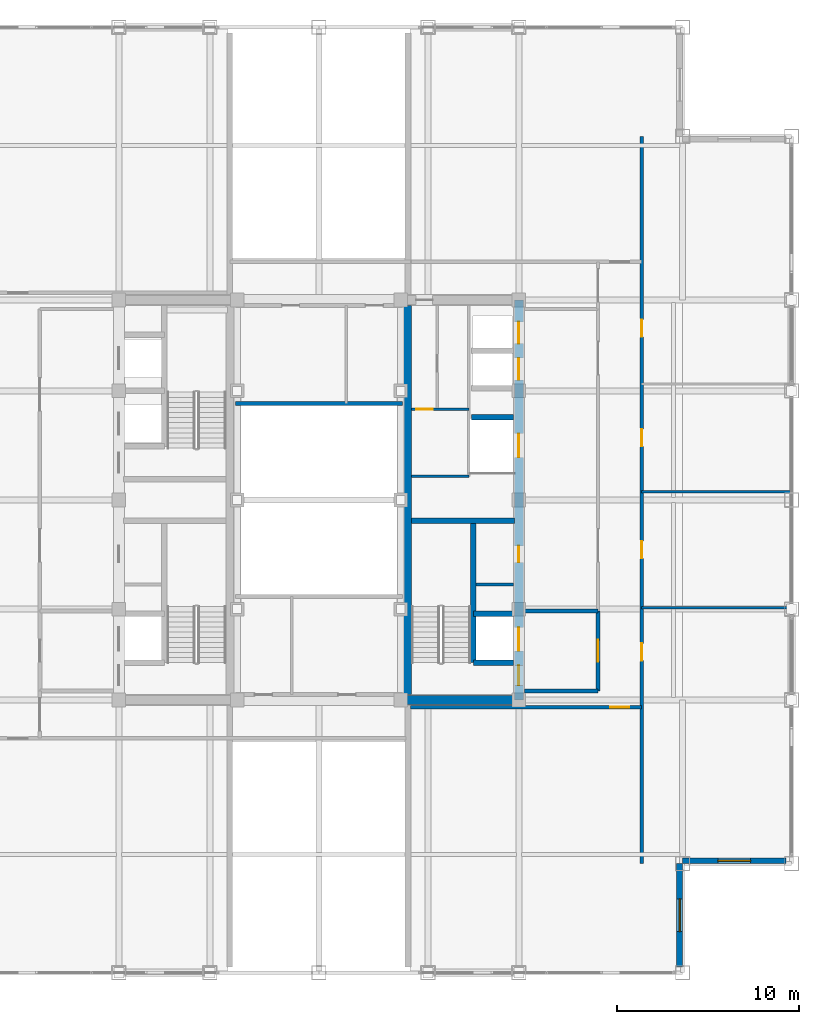
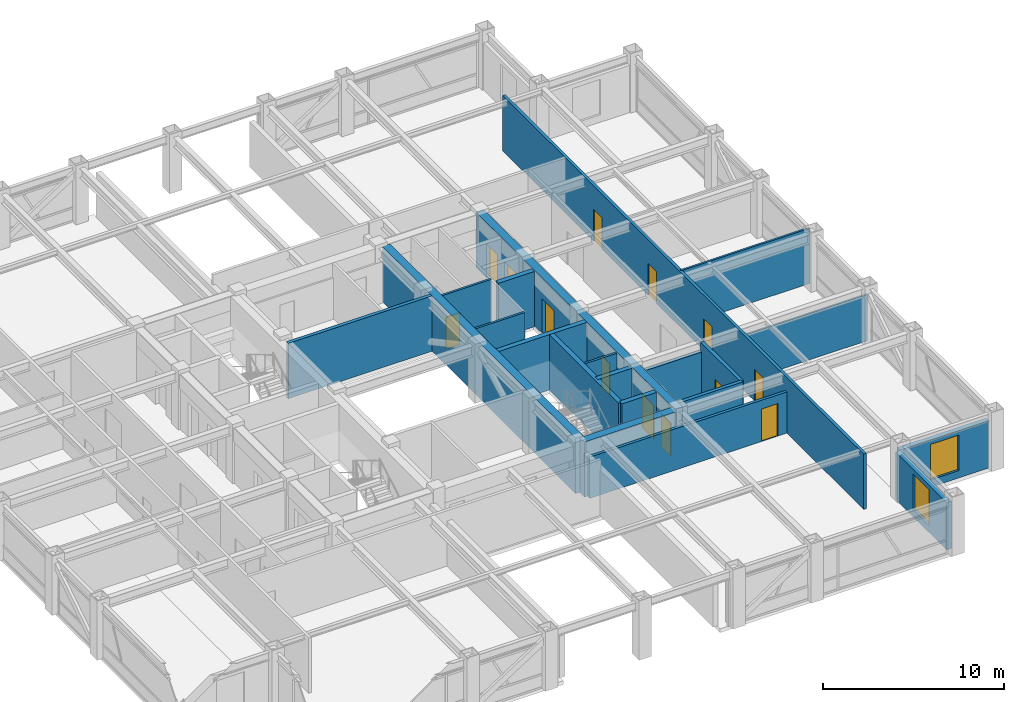
# One storey, part 26 of 29: 21 walls, 13 doors, 2 windows, 15 openings.
"""IFC4 building model written with IfcOpenShell, lengths in metres."""

from ifc_helpers import new_model, si_unit, direction, frame, frame_2d, origin, place, context, subcontext, project, spatial, rectangle, extrude, source, transform, mapped, material, layer, layer_set, type_object, element, fill, save


model = new_model("IFC4")

# Units and contexts
model_context = context("Model", 3, precision=1e-05, world=origin(), true_north=direction((0.0, 1.0)))
body_context = subcontext(model_context, "Body", "Model", "MODEL_VIEW")
ifc_project = project(units=[si_unit("LENGTHUNIT", "METRE"), si_unit("AREAUNIT", "SQUARE_METRE"), si_unit("VOLUMEUNIT", "CUBIC_METRE"), si_unit("PLANEANGLEUNIT", "RADIAN"), si_unit("MASSUNIT", "GRAM", prefix="KILO")], contexts=[model_context])

# Site, building, storey
site_placement = place(None, origin())
site = spatial("IfcSite", under=ifc_project, at=site_placement, CompositionType="ELEMENT")
building_placement = place(site_placement, origin())
building = spatial("IfcBuilding", under=site, at=building_placement, Name="Khorayat Bourse Tower", CompositionType="ELEMENT")
storey_placement = place(building_placement, frame((0.0, 0.0, 354.300048828125)))
storey = spatial("IfcBuildingStorey", under=building, at=storey_placement, Name="L84", CompositionType="ELEMENT", Elevation=354.300048828125)

# Wall, openings, doors
ifc_material_1 = material(Name="Concrete C52/65", Category="concrete")
ifc_layer_1 = layer(ifc_material_1, 0.5)
ifc_layer_set_1 = layer_set([ifc_layer_1], Name="Concrete C52/65")
wall_type_1 = type_object("IfcWallType", Name="WAL-CORE-500", PredefinedType="SHEAR", material=ifc_layer_set_1)
shared_shape_1 = source(origin(), body_context, "Body", "SweptSolid", [
    extrude(rectangle(XDim=22.0, YDim=0.5, at=frame_2d((11.0, 0.0))), origin(), (0.0, 0.0, 1.0), 3.739990234375),
])
wall_1_placement = place(storey_placement, frame((11.0, -11.0, 0.0), z_axis=(0.0, 0.0, 1.0), x_axis=(0.0, 1.0, 0.0)))
wall_1 = element("IfcWall", 1, at=wall_1_placement, inside=storey, type_object=wall_type_1, Name="L84 Core Shear Wall CORE-E", PredefinedType="SHEAR", context=body_context, shape_type="MappedRepresentation", body=[
    mapped(shared_shape_1, transform((0.0, 0.0, 0.0), scale=1.0)),
])
shared_shape_2 = source(origin(), body_context, "Body", "SweptSolid", [
    extrude(rectangle(XDim=1.10009765625, YDim=2.199951171875, at=frame_2d((0.550048828125, 1.10009765625))), frame((0.0, 0.260009765625, 0.0), z_axis=(0.0, -1.0, 0.0), x_axis=(1.0, 0.0, 0.0)), (0.0, 0.0, 1.0), 0.52001953125),
])
opening_1_placement = place(wall_1_placement, frame((0.800048828125, 0.0, 0.0)))
opening_1 = element("IfcOpeningElement", 2, at=opening_1_placement, cuts=wall_1, Name="Opening DI-01", PredefinedType="OPENING", context=body_context, shape_type="MappedRepresentation", body=[
    mapped(shared_shape_2, transform((0.0, 0.0, 0.0), scale=1.0)),
])
shared_shape_3 = source(origin(), body_context, "Body", "SweptSolid", [
    extrude(rectangle(XDim=0.89990234375, YDim=2.14990234375, at=frame_2d((0.449951171875, 1.074951171875))), frame((0.0, 0.260009765625, 0.0), z_axis=(0.0, -1.0, 0.0), x_axis=(1.0, 0.0, 0.0)), (0.0, 0.0, 1.0), 0.52001953125),
])
opening_2_placement = place(wall_1_placement, frame((7.574951171875, 0.0, 0.0)))
opening_2 = element("IfcOpeningElement", 3, at=opening_2_placement, cuts=wall_1, Name="Opening DI-06", PredefinedType="OPENING", context=body_context, shape_type="MappedRepresentation", body=[
    mapped(shared_shape_3, transform((0.0, 0.0, 0.0), scale=1.0)),
])
shared_shape_4 = source(origin(), body_context, "Body", "SweptSolid", [
    extrude(rectangle(XDim=1.199951171875, YDim=2.300048828125, at=frame_2d((0.60009765625, 1.14990234375))), frame((0.0, 0.260009765625, 0.0), z_axis=(0.0, -1.0, 0.0), x_axis=(1.0, 0.0, 0.0)), (0.0, 0.0, 1.0), 0.52001953125),
])
opening_3_placement = place(wall_1_placement, frame((17.60009765625, 0.0, 0.0)))
opening_3 = element("IfcOpeningElement", 4, at=opening_3_placement, cuts=wall_1, Name="Opening LD-01", PredefinedType="OPENING", context=body_context, shape_type="MappedRepresentation", body=[
    mapped(shared_shape_4, transform((0.0, 0.0, 0.0), scale=1.0)),
])
opening_4_placement = place(wall_1_placement, frame((19.60009765625, 0.0, 0.0)))
opening_4 = element("IfcOpeningElement", 5, at=opening_4_placement, cuts=wall_1, Name="Opening LD-01", PredefinedType="OPENING", context=body_context, shape_type="MappedRepresentation", body=[
    mapped(shared_shape_4, transform((0.0, 0.0, 0.0), scale=1.0)),
])
shared_shape_5 = source(origin(), body_context, "Body", "SweptSolid", [
    extrude(rectangle(XDim=1.300048828125, YDim=2.300048828125, at=frame_2d((0.64990234375, 1.14990234375))), frame((0.0, 0.260009765625, 0.0), z_axis=(0.0, -1.0, 0.0), x_axis=(1.0, 0.0, 0.0)), (0.0, 0.0, 1.0), 0.52001953125),
])
opening_5_placement = place(wall_1_placement, frame((2.699951171875, 0.0, 0.0)))
opening_5 = element("IfcOpeningElement", 6, at=opening_5_placement, cuts=wall_1, Name="Opening LD-02", PredefinedType="OPENING", context=body_context, shape_type="MappedRepresentation", body=[
    mapped(shared_shape_5, transform((0.0, 0.0, 0.0), scale=1.0)),
])
opening_6_placement = place(wall_1_placement, frame((13.35009765625, 0.0, 0.0)))
opening_6 = element("IfcOpeningElement", 7, at=opening_6_placement, cuts=wall_1, Name="Opening LD-02", PredefinedType="OPENING", context=body_context, shape_type="MappedRepresentation", body=[
    mapped(shared_shape_5, transform((0.0, 0.0, 0.0), scale=1.0)),
])
ifc_material_2 = material(Name="Fire-rated steel acoustic leaf", Category="steel")
door_type_1 = type_object("IfcDoorType", Name="DR-INT-STAIR-1100", OperationType="NOTDEFINED", PredefinedType="DOOR", material=ifc_material_2)
shared_shape_6 = source(origin(), body_context, "Body", "SweptSolid", [
    extrude(rectangle(XDim=1.10009765625, YDim=2.199951171875, at=frame_2d((0.550048828125, 1.10009765625))), frame((0.0, 0.02490234375, 0.0), z_axis=(0.0, -1.0, 0.0), x_axis=(1.0, 0.0, 0.0)), (0.0, 0.0, 1.0), 0.050048828125),
])
door_1_placement = place(opening_1_placement, origin())
door_1 = element("IfcDoor", 8, at=door_1_placement, inside=storey, type_object=door_type_1, Name="L84 Exit Stair 3 Door", OperationType="SINGLE_SWING_LEFT", OverallHeight=2.199951171875, OverallWidth=1.10009765625, PredefinedType="DOOR", context=body_context, shape_type="MappedRepresentation", body=[
    mapped(shared_shape_6, transform((0.0, 0.0, 0.0), scale=1.0)),
])
fill(opening_1, door_1)
ifc_material_3 = material(Name="Moisture-resistant laminate washroom door")
door_type_2 = type_object("IfcDoorType", Name="DR-INT-WC-900", OperationType="NOTDEFINED", PredefinedType="DOOR", material=ifc_material_3)
shared_shape_7 = source(origin(), body_context, "Body", "SweptSolid", [
    extrude(rectangle(XDim=0.89990234375, YDim=2.14990234375, at=frame_2d((0.449951171875, 1.074951171875))), frame((0.0, 0.02490234375, 0.0), z_axis=(0.0, -1.0, 0.0), x_axis=(1.0, 0.0, 0.0)), (0.0, 0.0, 1.0), 0.050048828125),
])
door_2_placement = place(opening_2_placement, origin())
door_2 = element("IfcDoor", 9, at=door_2_placement, inside=storey, type_object=door_type_2, Name="L84 Fiber Server Plant Room Door", OperationType="SINGLE_SWING_LEFT", OverallHeight=2.14990234375, OverallWidth=0.89990234375, PredefinedType="DOOR", context=body_context, shape_type="MappedRepresentation", body=[
    mapped(shared_shape_7, transform((0.0, 0.0, 0.0), scale=1.0)),
])
fill(opening_2, door_2)
ifc_material_4 = material(Name="Brushed bronze stainless-steel sliding door", Category="steel")
door_type_3 = type_object("IfcDoorType", Name="DR-LIFT-PASS-1200", OperationType="NOTDEFINED", PredefinedType="DOOR", material=ifc_material_4)
shared_shape_8 = source(origin(), body_context, "Body", "SweptSolid", [
    extrude(rectangle(XDim=1.199951171875, YDim=2.300048828125, at=frame_2d((0.60009765625, 1.14990234375))), frame((0.0, 0.02490234375, 0.0), z_axis=(0.0, -1.0, 0.0), x_axis=(1.0, 0.0, 0.0)), (0.0, 0.0, 1.0), 0.050048828125),
])
door_3_placement = place(opening_3_placement, origin())
door_3 = element("IfcDoor", 10, at=door_3_placement, inside=storey, type_object=door_type_3, Name="L84 Lift PL-H3 Sliding Landing Door", OperationType="SLIDING_TO_LEFT", OverallHeight=2.300048828125, OverallWidth=1.199951171875, PredefinedType="DOOR", context=body_context, shape_type="MappedRepresentation", body=[
    mapped(shared_shape_8, transform((0.0, 0.0, 0.0), scale=1.0)),
])
fill(opening_3, door_3)
door_4_placement = place(opening_4_placement, origin())
door_4 = element("IfcDoor", 11, at=door_4_placement, inside=storey, type_object=door_type_3, Name="L84 Lift PL-H4 Sliding Landing Door", OperationType="SLIDING_TO_LEFT", OverallHeight=2.300048828125, OverallWidth=1.199951171875, PredefinedType="DOOR", context=body_context, shape_type="MappedRepresentation", body=[
    mapped(shared_shape_8, transform((0.0, 0.0, 0.0), scale=1.0)),
])
fill(opening_4, door_4)
ifc_material_5 = material(Name="Fire-rated stainless-steel sliding landing door", Category="steel")
door_type_4 = type_object("IfcDoorType", Name="DR-LIFT-FF-1300", OperationType="NOTDEFINED", PredefinedType="DOOR", material=ifc_material_5)
shared_shape_9 = source(origin(), body_context, "Body", "SweptSolid", [
    extrude(rectangle(XDim=1.300048828125, YDim=2.300048828125, at=frame_2d((0.64990234375, 1.14990234375))), frame((0.0, 0.02490234375, 0.0), z_axis=(0.0, -1.0, 0.0), x_axis=(1.0, 0.0, 0.0)), (0.0, 0.0, 1.0), 0.050048828125),
])
door_5_placement = place(opening_5_placement, origin())
door_5 = element("IfcDoor", 12, at=door_5_placement, inside=storey, type_object=door_type_4, Name="L84 Lift FFL-02 Sliding Landing Door", OperationType="SLIDING_TO_LEFT", OverallHeight=2.300048828125, OverallWidth=1.300048828125, PredefinedType="DOOR", context=body_context, shape_type="MappedRepresentation", body=[
    mapped(shared_shape_9, transform((0.0, 0.0, 0.0), scale=1.0)),
])
fill(opening_5, door_5)
door_6_placement = place(opening_6_placement, origin())
door_6 = element("IfcDoor", 13, at=door_6_placement, inside=storey, type_object=door_type_4, Name="L84 Lift SVL-01 Sliding Landing Door", OperationType="SLIDING_TO_LEFT", OverallHeight=2.300048828125, OverallWidth=1.300048828125, PredefinedType="DOOR", context=body_context, shape_type="MappedRepresentation", body=[
    mapped(shared_shape_9, transform((0.0, 0.0, 0.0), scale=1.0)),
])
fill(opening_6, door_6)

# Walls
shared_shape_10 = source(origin(), body_context, "Body", "SweptSolid", [
    extrude(rectangle(XDim=21.39990234375, YDim=0.5, at=frame_2d((10.699951171875, 0.0))), origin(), (0.0, 0.0, 1.0), 3.739990234375),
])
wall_2_placement = place(storey_placement, frame((4.85009765625, -10.699951171875, 0.0), z_axis=(0.0, 0.0, 1.0), x_axis=(0.0, 1.0, 0.0)))
element("IfcWall", 14, at=wall_2_placement, inside=storey, type_object=wall_type_1, Name="L84 Core Shear Wall PIER-E", PredefinedType="SHEAR", context=body_context, shape_type="MappedRepresentation", body=[
    mapped(shared_shape_10, transform((0.0, 0.0, 0.0), scale=1.0)),
])
shared_shape_11 = source(origin(), body_context, "Body", "SweptSolid", [
    extrude(rectangle(XDim=5.89990234375, YDim=0.5, at=frame_2d((2.949951171875, 0.0))), origin(), (0.0, 0.0, 1.0), 3.739990234375),
])
wall_3_placement = place(storey_placement, frame((4.85009765625, -11.0, 0.0), z_axis=(0.0, 0.0, 1.0), x_axis=(1.0, 0.0, 0.0)))
element("IfcWall", 15, at=wall_3_placement, inside=storey, type_object=wall_type_1, Name="L84 Core Shear Wall PIER-ES", PredefinedType="SHEAR", context=body_context, shape_type="MappedRepresentation", body=[
    mapped(shared_shape_11, transform((0.0, 0.0, 0.0), scale=1.0)),
])
ifc_material_6 = material(Name="Concrete C50/60", Category="concrete")
ifc_layer_2 = layer(ifc_material_6, 0.300048828125)
ifc_layer_set_2 = layer_set([ifc_layer_2], Name="Concrete C50/60")
wall_type_2 = type_object("IfcWallType", Name="WAL-SHAFT-300", PredefinedType="SHEAR", material=ifc_layer_set_2)
shared_shape_12 = source(origin(), body_context, "Body", "SweptSolid", [
    extrude(rectangle(XDim=5.64990234375, YDim=0.300048828125, at=frame_2d((2.824951171875, 0.0))), origin(), (0.0, 0.0, 1.0), 3.739990234375),
])
wall_4_placement = place(storey_placement, frame((5.10009765625, -1.14990234375, 0.0), z_axis=(0.0, 0.0, 1.0), x_axis=(1.0, 0.0, 0.0)))
element("IfcWall", 16, at=wall_4_placement, inside=storey, type_object=wall_type_2, Name="L84 Core Shear Wall ST3-DIV", PredefinedType="SHEAR", context=body_context, shape_type="MappedRepresentation", body=[
    mapped(shared_shape_12, transform((0.0, 0.0, 0.0), scale=1.0)),
])

# Wall, opening, window
ifc_material_7 = material(Name="Precast concrete C45/55", Category="concrete")
ifc_layer_3 = layer(ifc_material_7, 0.320068359375)
ifc_layer_set_3 = layer_set([ifc_layer_3], Name="Precast concrete C45/55")
wall_type_3 = type_object("IfcWallType", Name="WAL-EXT-STONE-320", PredefinedType="STANDARD", material=ifc_layer_set_3)
shared_shape_13 = source(origin(), body_context, "Body", "SweptSolid", [
    extrude(rectangle(XDim=5.679931640625, YDim=0.320068359375, at=frame_2d((2.83984375, 0.0))), origin(), (0.0, 0.0, 1.0), 3.19091796875),
])
wall_5_placement = place(storey_placement, frame((19.840087890625, -25.679931640625, 0.0), z_axis=(0.0, 0.0, 1.0), x_axis=(0.0, 1.0, 0.0)))
wall_5 = element("IfcWall", 17, at=wall_5_placement, inside=storey, type_object=wall_type_3, Name="L84 Re-Entrant Notch Limestone Wall SE-V", PredefinedType="STANDARD", context=body_context, shape_type="MappedRepresentation", body=[
    mapped(shared_shape_13, transform((0.0, 0.0, 0.0), scale=1.0)),
])
shared_shape_14 = source(origin(), body_context, "Body", "SweptSolid", [
    extrude(rectangle(XDim=1.800048828125, YDim=2.39990234375, at=frame_2d((0.89990234375, 1.199951171875))), frame((0.0, 0.169921875, 0.0), z_axis=(0.0, -1.0, 0.0), x_axis=(1.0, 0.0, 0.0)), (0.0, 0.0, 1.0), 0.340087890625),
])
opening_7_placement = place(wall_5_placement, frame((1.93994140625, 0.0, 0.5)))
opening_7 = element("IfcOpeningElement", 18, at=opening_7_placement, cuts=wall_5, Name="Opening WN-04", PredefinedType="OPENING", context=body_context, shape_type="MappedRepresentation", body=[
    mapped(shared_shape_14, transform((0.0, 0.0, 0.0), scale=1.0)),
])
ifc_material_8 = material(Name="Low-E acoustic laminated double glazing", Category="glass")
window_type = type_object("IfcWindowType", Name="WIN-NOTCH-1800x2400", PartitioningType="SINGLE_PANEL", PredefinedType="WINDOW", material=ifc_material_8)
shared_shape_15 = source(origin(), body_context, "Body", "SweptSolid", [
    extrude(rectangle(XDim=1.800048828125, YDim=2.39990234375, at=frame_2d((0.89990234375, 1.199951171875))), frame((0.0, 0.030029296875, 0.0), z_axis=(0.0, -1.0, 0.0), x_axis=(1.0, 0.0, 0.0)), (0.0, 0.0, 1.0), 0.06005859375),
])
window_1_placement = place(opening_7_placement, origin())
window_1 = element("IfcWindow", 19, at=window_1_placement, inside=storey, type_object=window_type, Name="L84 Facade Window 1", OverallHeight=2.39990234375, OverallWidth=1.800048828125, PartitioningType="SINGLE_PANEL", PredefinedType="WINDOW", context=body_context, shape_type="MappedRepresentation", body=[
    mapped(shared_shape_15, transform((0.0, 0.0, 0.0), scale=1.0)),
])
fill(opening_7, window_1)

wall_6_placement = place(storey_placement, frame((20.0, -19.840087890625, 0.0), z_axis=(0.0, 0.0, 1.0), x_axis=(1.0, 0.0, 0.0)))
wall_6 = element("IfcWall", 20, at=wall_6_placement, inside=storey, type_object=wall_type_3, Name="L84 Re-Entrant Notch Limestone Wall SE-H", PredefinedType="STANDARD", context=body_context, shape_type="MappedRepresentation", body=[
    mapped(shared_shape_13, transform((0.0, 0.0, 0.0), scale=1.0)),
])
opening_8_placement = place(wall_6_placement, frame((1.93994140625, 0.0, 0.5)))
opening_8 = element("IfcOpeningElement", 21, at=opening_8_placement, cuts=wall_6, Name="Opening WN-04", PredefinedType="OPENING", context=body_context, shape_type="MappedRepresentation", body=[
    mapped(shared_shape_14, transform((0.0, 0.0, 0.0), scale=1.0)),
])
window_2_placement = place(opening_8_placement, origin())
window_2 = element("IfcWindow", 22, at=window_2_placement, inside=storey, type_object=window_type, Name="L84 Facade Window 1", OverallHeight=2.39990234375, OverallWidth=1.800048828125, PartitioningType="SINGLE_PANEL", PredefinedType="WINDOW", context=body_context, shape_type="MappedRepresentation", body=[
    mapped(shared_shape_15, transform((0.0, 0.0, 0.0), scale=1.0)),
])
fill(opening_8, window_2)

# Walls
shared_shape_16 = source(origin(), body_context, "Body", "SweptSolid", [
    extrude(rectangle(XDim=7.800048828125, YDim=0.300048828125, at=frame_2d((3.89990234375, 0.0))), origin(), (0.0, 0.0, 1.0), 3.739990234375),
])
wall_7_placement = place(storey_placement, frame((8.5, -8.949951171875, 0.0), z_axis=(0.0, 0.0, 1.0), x_axis=(0.0, 1.0, 0.0)))
element("IfcWall", 23, at=wall_7_placement, inside=storey, type_object=wall_type_2, Name="L84 Partition WAL-L84-EPIER-SP", PredefinedType="SHEAR", context=body_context, shape_type="MappedRepresentation", body=[
    mapped(shared_shape_16, transform((0.0, 0.0, 0.0), scale=1.0)),
])
shared_shape_17 = source(origin(), body_context, "Body", "SweptSolid", [
    extrude(rectangle(XDim=2.199951171875, YDim=0.300048828125, at=frame_2d((1.10009765625, 0.0))), origin(), (0.0, 0.0, 1.0), 3.739990234375),
])
for number, where, z_axis, x_axis, name in (
    (24, (8.5, -8.949951171875, 0.0), (0.0, 0.0, 1.0), (1.0, 0.0, 0.0), "L84 Partition WAL-L84-EPIER-FF2S"),
    (25, (8.5, -6.25, 0.0), (0.0, 0.0, 1.0), (1.0, 0.0, 0.0), "L84 Partition WAL-L84-EPIER-FF2N"),
):
    element("IfcWall", number, at=place(storey_placement, frame(where, z_axis=z_axis, x_axis=x_axis)), inside=storey, type_object=wall_type_2, Name=name, PredefinedType="SHEAR", context=body_context, shape_type="MappedRepresentation", body=[
        mapped(shared_shape_17, transform((0.0, 0.0, 0.0), scale=1.0)),
    ])
shared_shape_18 = source(origin(), body_context, "Body", "SweptSolid", [
    extrude(rectangle(XDim=2.300048828125, YDim=0.300048828125, at=frame_2d((1.14990234375, 0.0))), origin(), (0.0, 0.0, 1.0), 3.739990234375),
])
wall_8_placement = place(storey_placement, frame((8.39990234375, 4.550048828125, 0.0), z_axis=(0.0, 0.0, 1.0), x_axis=(1.0, 0.0, 0.0)))
element("IfcWall", 26, at=wall_8_placement, inside=storey, type_object=wall_type_2, Name="L84 Partition WAL-L84-EPIER-SVLN", PredefinedType="SHEAR", context=body_context, shape_type="MappedRepresentation", body=[
    mapped(shared_shape_18, transform((0.0, 0.0, 0.0), scale=1.0)),
])
ifc_material_9 = material(Name="Gypsum plasterboard twin-frame partition")
ifc_layer_4 = layer(ifc_material_9, 0.14990234375)
ifc_layer_set_4 = layer_set([ifc_layer_4], Name="Gypsum plasterboard twin-frame partition")
wall_type_4 = type_object("IfcWallType", Name="WAL-PART-SUITE-150", PredefinedType="PARTITIONING", material=ifc_layer_set_4)
shared_shape_19 = source(origin(), body_context, "Body", "SweptSolid", [
    extrude(rectangle(XDim=2.050048828125, YDim=0.14990234375, at=frame_2d((1.02490234375, 0.0))), origin(), (0.0, 0.0, 1.0), 3.739990234375),
])
wall_9_placement = place(storey_placement, frame((8.64990234375, -4.64990234375, 0.0), z_axis=(0.0, 0.0, 1.0), x_axis=(1.0, 0.0, 0.0)))
element("IfcWall", 27, at=wall_9_placement, inside=storey, type_object=wall_type_4, Name="L84 Partition WAL-L84-ESRV-S0", PredefinedType="PARTITIONING", context=body_context, shape_type="MappedRepresentation", body=[
    mapped(shared_shape_19, transform((0.0, 0.0, 0.0), scale=1.0)),
])
ifc_material_10 = material(Name="Moisture-resistant masonry partition", Category="masonry")
ifc_layer_5 = layer(ifc_material_10, 0.139892578125)
ifc_layer_set_5 = layer_set([ifc_layer_5], Name="Moisture-resistant masonry partition")
wall_type_5 = type_object("IfcWallType", Name="WAL-PART-WET-140", PredefinedType="PARTITIONING", material=ifc_layer_set_5)
shared_shape_20 = source(origin(), body_context, "Body", "SweptSolid", [
    extrude(rectangle(XDim=3.14990234375, YDim=0.139892578125, at=frame_2d((1.574951171875, 0.0))), origin(), (0.0, 0.0, 1.0), 3.739990234375),
])
wall_10_placement = place(storey_placement, frame((5.10009765625, 1.300048828125, 0.0), z_axis=(0.0, 0.0, 1.0), x_axis=(1.0, 0.0, 0.0)))
element("IfcWall", 28, at=wall_10_placement, inside=storey, type_object=wall_type_5, Name="L84 Partition WAL-L84-ECORE-S", PredefinedType="PARTITIONING", context=body_context, shape_type="MappedRepresentation", body=[
    mapped(shared_shape_20, transform((0.0, 0.0, 0.0), scale=1.0)),
])

# Wall, opening, door
wall_11_placement = place(storey_placement, frame((5.10009765625, 5.0, 0.0), z_axis=(0.0, 0.0, 1.0), x_axis=(1.0, 0.0, 0.0)))
wall_11 = element("IfcWall", 29, at=wall_11_placement, inside=storey, type_object=wall_type_5, Name="L84 Partition WAL-L84-ECW-BOT", PredefinedType="PARTITIONING", context=body_context, shape_type="MappedRepresentation", body=[
    mapped(shared_shape_20, transform((0.0, 0.0, 0.0), scale=1.0)),
])
shared_shape_21 = source(origin(), body_context, "Body", "SweptSolid", [
    extrude(rectangle(XDim=0.89990234375, YDim=2.14990234375, at=frame_2d((0.449951171875, 1.074951171875))), frame((0.0, 0.079833984375, 0.0), z_axis=(0.0, -1.0, 0.0), x_axis=(1.0, 0.0, 0.0)), (0.0, 0.0, 1.0), 0.159912109375),
])
opening_9_placement = place(wall_11_placement, frame((0.25, 0.0, 0.0)))
opening_9 = element("IfcOpeningElement", 30, at=opening_9_placement, cuts=wall_11, Name="Opening DI-06", PredefinedType="OPENING", context=body_context, shape_type="MappedRepresentation", body=[
    mapped(shared_shape_21, transform((0.0, 0.0, 0.0), scale=1.0)),
])
door_7_placement = place(opening_9_placement, origin())
door_7 = element("IfcDoor", 31, at=door_7_placement, inside=storey, type_object=door_type_2, Name="L84 Shared Washroom Door", OperationType="SINGLE_SWING_LEFT", OverallHeight=2.14990234375, OverallWidth=0.89990234375, PredefinedType="DOOR", context=body_context, shape_type="MappedRepresentation", body=[
    mapped(shared_shape_7, transform((0.0, 0.0, 0.0), scale=1.0)),
])
fill(opening_9, door_7)

# Walls
ifc_material_11 = material(Name="Aerated concrete blockwork", Category="masonry")
ifc_layer_6 = layer(ifc_material_11, 0.219970703125)
ifc_layer_set_6 = layer_set([ifc_layer_6], Name="Aerated concrete blockwork")
wall_type_6 = type_object("IfcWallType", Name="WAL-PART-FF-220", PredefinedType="PARTITIONING", material=ifc_layer_set_6)
shared_shape_22 = source(origin(), body_context, "Body", "SweptSolid", [
    extrude(rectangle(XDim=4.050048828125, YDim=0.219970703125, at=frame_2d((2.02490234375, 0.0))), origin(), (0.0, 0.0, 1.0), 3.739990234375),
])
wall_12_placement = place(storey_placement, frame((11.300048828125, -10.5, 0.0), z_axis=(0.0, 0.0, 1.0), x_axis=(1.0, 0.0, 0.0)))
element("IfcWall", 32, at=wall_12_placement, inside=storey, type_object=wall_type_6, Name="L84 Partition WAL-L84-FFLE-S", PredefinedType="PARTITIONING", context=body_context, shape_type="MappedRepresentation", body=[
    mapped(shared_shape_22, transform((0.0, 0.0, 0.0), scale=1.0)),
])
shared_shape_23 = source(origin(), body_context, "Body", "SweptSolid", [
    extrude(rectangle(XDim=4.050048828125, YDim=0.219970703125, at=frame_2d((2.02490234375, 0.0))), origin(), (0.0, 0.0, 1.0), 3.1240234375),
])
wall_13_placement = place(storey_placement, frame((11.300048828125, -6.10009765625, 0.0), z_axis=(0.0, 0.0, 1.0), x_axis=(1.0, 0.0, 0.0)))
element("IfcWall", 33, at=wall_13_placement, inside=storey, type_object=wall_type_6, Name="L84 Partition WAL-L84-FFLE-N", PredefinedType="PARTITIONING", context=body_context, shape_type="MappedRepresentation", body=[
    mapped(shared_shape_23, transform((0.0, 0.0, 0.0), scale=1.0)),
])

# Wall, opening, door
shared_shape_24 = source(origin(), body_context, "Body", "SweptSolid", [
    extrude(rectangle(XDim=4.39990234375, YDim=0.219970703125, at=frame_2d((2.199951171875, 0.0))), origin(), (0.0, 0.0, 1.0), 3.739990234375),
])
wall_14_placement = place(storey_placement, frame((15.35009765625, -10.5, 0.0), z_axis=(0.0, 0.0, 1.0), x_axis=(0.0, 1.0, 0.0)))
wall_14 = element("IfcWall", 34, at=wall_14_placement, inside=storey, type_object=wall_type_6, Name="L84 Partition WAL-L84-FFLE-E", PredefinedType="PARTITIONING", context=body_context, shape_type="MappedRepresentation", body=[
    mapped(shared_shape_24, transform((0.0, 0.0, 0.0), scale=1.0)),
])
shared_shape_25 = source(origin(), body_context, "Body", "SweptSolid", [
    extrude(rectangle(XDim=1.199951171875, YDim=2.199951171875, at=frame_2d((0.60009765625, 1.10009765625))), frame((0.0, 0.119873046875, 0.0), z_axis=(0.0, -1.0, 0.0), x_axis=(1.0, 0.0, 0.0)), (0.0, 0.0, 1.0), 0.239990234375),
])
opening_10_placement = place(wall_14_placement, frame((1.60009765625, 0.0, 0.0)))
opening_10 = element("IfcOpeningElement", 35, at=opening_10_placement, cuts=wall_14, Name="Opening DI-02", PredefinedType="OPENING", context=body_context, shape_type="MappedRepresentation", body=[
    mapped(shared_shape_25, transform((0.0, 0.0, 0.0), scale=1.0)),
])
ifc_material_12 = material(Name="Fire-rated steel double-seal leaf", Category="steel")
door_type_5 = type_object("IfcDoorType", Name="DR-INT-FFLOBBY-1200", OperationType="NOTDEFINED", PredefinedType="DOOR", material=ifc_material_12)
shared_shape_26 = source(origin(), body_context, "Body", "SweptSolid", [
    extrude(rectangle(XDim=1.199951171875, YDim=2.199951171875, at=frame_2d((0.60009765625, 1.10009765625))), frame((0.0, 0.02490234375, 0.0), z_axis=(0.0, -1.0, 0.0), x_axis=(1.0, 0.0, 0.0)), (0.0, 0.0, 1.0), 0.050048828125),
])
door_8_placement = place(opening_10_placement, origin())
door_8 = element("IfcDoor", 36, at=door_8_placement, inside=storey, type_object=door_type_5, Name="L84 East Firefighting Lobby Door", OperationType="SINGLE_SWING_RIGHT", OverallHeight=2.199951171875, OverallWidth=1.199951171875, PredefinedType="DOOR", context=body_context, shape_type="MappedRepresentation", body=[
    mapped(shared_shape_26, transform((0.0, 0.0, 0.0), scale=1.0)),
])
fill(opening_10, door_8)

# Wall
shared_shape_27 = source(origin(), body_context, "Body", "SweptSolid", [
    extrude(rectangle(XDim=9.2001953125, YDim=0.219970703125, at=frame_2d((4.60009765625, 0.0))), origin(), (0.0, 0.0, 1.0), 3.739990234375),
])
wall_15_placement = place(storey_placement, frame((-4.60009765625, 5.300048828125, 0.0), z_axis=(0.0, 0.0, 1.0), x_axis=(1.0, 0.0, 0.0)))
element("IfcWall", 37, at=wall_15_placement, inside=storey, type_object=wall_type_6, Name="L84 Partition WAL-L84-WPB2-S", PredefinedType="PARTITIONING", context=body_context, shape_type="MappedRepresentation", body=[
    mapped(shared_shape_27, transform((0.0, 0.0, 0.0), scale=1.0)),
])

# Wall, opening, door
ifc_material_13 = material(Name="Gypsum plasterboard acoustic stud wall")
ifc_layer_7 = layer(ifc_material_13, 0.179931640625)
ifc_layer_set_7 = layer_set([ifc_layer_7], Name="Gypsum plasterboard acoustic stud wall")
wall_type_7 = type_object("IfcWallType", Name="WAL-PART-CORR-180", PredefinedType="PARTITIONING", material=ifc_layer_set_7)
shared_shape_28 = source(origin(), body_context, "Body", "SweptSolid", [
    extrude(rectangle(XDim=12.699951171875, YDim=0.179931640625, at=frame_2d((6.35009765625, 0.0))), origin(), (0.0, 0.0, 1.0), 2.7900390625),
])
wall_16_placement = place(storey_placement, frame((5.050048828125, -11.39990234375, 0.0), z_axis=(0.0, 0.0, 1.0), x_axis=(1.0, 0.0, 0.0)))
wall_16 = element("IfcWall", 38, at=wall_16_placement, inside=storey, type_object=wall_type_7, Name="L84 Partition WAL-L84-EPS-N", PredefinedType="PARTITIONING", context=body_context, shape_type="MappedRepresentation", body=[
    mapped(shared_shape_28, transform((0.0, 0.0, 0.0), scale=1.0)),
])
shared_shape_29 = source(origin(), body_context, "Body", "SweptSolid", [
    extrude(rectangle(XDim=1.050048828125, YDim=2.199951171875, at=frame_2d((0.52490234375, 1.10009765625))), frame((0.0, 0.099853515625, 0.0), z_axis=(0.0, -1.0, 0.0), x_axis=(1.0, 0.0, 0.0)), (0.0, 0.0, 1.0), 0.199951171875),
])
opening_11_placement = place(wall_16_placement, frame((10.97509765625, 0.0, 0.0)))
opening_11 = element("IfcOpeningElement", 39, at=opening_11_placement, cuts=wall_16, Name="Opening DI-04", PredefinedType="OPENING", context=body_context, shape_type="MappedRepresentation", body=[
    mapped(shared_shape_29, transform((0.0, 0.0, 0.0), scale=1.0)),
])
ifc_material_14 = material(Name="Fire-rated oak veneer suite entrance door")
door_type_6 = type_object("IfcDoorType", Name="DR-INT-SUITE-1050", OperationType="NOTDEFINED", PredefinedType="DOOR", material=ifc_material_14)
shared_shape_30 = source(origin(), body_context, "Body", "SweptSolid", [
    extrude(rectangle(XDim=1.050048828125, YDim=2.199951171875, at=frame_2d((0.52490234375, 1.10009765625))), frame((0.0, 0.02490234375, 0.0), z_axis=(0.0, -1.0, 0.0), x_axis=(1.0, 0.0, 0.0)), (0.0, 0.0, 1.0), 0.050048828125),
])
door_9_placement = place(opening_11_placement, origin())
door_9 = element("IfcDoor", 40, at=door_9_placement, inside=storey, type_object=door_type_6, Name="L84 East Portal Lounge Door", OperationType="SINGLE_SWING_LEFT", OverallHeight=2.199951171875, OverallWidth=1.050048828125, PredefinedType="DOOR", context=body_context, shape_type="MappedRepresentation", body=[
    mapped(shared_shape_30, transform((0.0, 0.0, 0.0), scale=1.0)),
])
fill(opening_11, door_9)

# Wall
ifc_material_15 = material(Name="Gypsum plasterboard partition")
ifc_layer_8 = layer(ifc_material_15, 0.125)
ifc_layer_set_8 = layer_set([ifc_layer_8], Name="Gypsum plasterboard partition")
wall_type_8 = type_object("IfcWallType", Name="WAL-PART-ROOM-125", PredefinedType="PARTITIONING", material=ifc_layer_set_8)
shared_shape_31 = source(origin(), body_context, "Body", "SweptSolid", [
    extrude(rectangle(XDim=8.25, YDim=0.125, at=frame_2d((4.125, 0.0))), origin(), (0.0, 0.0, 1.0), 3.739990234375),
])
wall_17_placement = place(storey_placement, frame((17.75, 0.4560546875, 0.0), z_axis=(0.0, 0.0, 1.0), x_axis=(1.0, 0.0, 0.0)))
element("IfcWall", 41, at=wall_17_placement, inside=storey, type_object=wall_type_8, Name="L84 Partition WAL-L84-WPEDV-2", PredefinedType="PARTITIONING", context=body_context, shape_type="MappedRepresentation", body=[
    mapped(shared_shape_31, transform((0.0, 0.0, 0.0), scale=1.0)),
])

# Wall, openings, doors
shared_shape_32 = source(origin(), body_context, "Body", "SweptSolid", [
    extrude(rectangle(XDim=40.0, YDim=0.179931640625, at=frame_2d((20.0, 0.0))), origin(), (0.0, 0.0, 1.0), 3.739990234375),
])
wall_18_placement = place(storey_placement, frame((17.75, -20.0, 0.0), z_axis=(0.0, 0.0, 1.0), x_axis=(0.0, 1.0, 0.0)))
wall_18 = element("IfcWall", 42, at=wall_18_placement, inside=storey, type_object=wall_type_7, Name="L84 Partition WAL-L84-WPECORR", PredefinedType="PARTITIONING", context=body_context, shape_type="MappedRepresentation", body=[
    mapped(shared_shape_32, transform((0.0, 0.0, 0.0), scale=1.0)),
])
shared_shape_33 = source(origin(), body_context, "Body", "SweptSolid", [
    extrude(rectangle(XDim=0.949951171875, YDim=2.14990234375, at=frame_2d((0.47509765625, 1.074951171875))), frame((0.0, 0.099853515625, 0.0), z_axis=(0.0, -1.0, 0.0), x_axis=(1.0, 0.0, 0.0)), (0.0, 0.0, 1.0), 0.199951171875),
])
opening_12_placement = place(wall_18_placement, frame((11.160888671875, 0.0, 0.0)))
opening_12 = element("IfcOpeningElement", 43, at=opening_12_placement, cuts=wall_18, Name="Opening DI-05", PredefinedType="OPENING", context=body_context, shape_type="MappedRepresentation", body=[
    mapped(shared_shape_33, transform((0.0, 0.0, 0.0), scale=1.0)),
])
opening_13_placement = place(wall_18_placement, frame((16.7890625, 0.0, 0.0)))
opening_13 = element("IfcOpeningElement", 44, at=opening_13_placement, cuts=wall_18, Name="Opening DI-05", PredefinedType="OPENING", context=body_context, shape_type="MappedRepresentation", body=[
    mapped(shared_shape_33, transform((0.0, 0.0, 0.0), scale=1.0)),
])
opening_14_placement = place(wall_18_placement, frame((22.945068359375, 0.0, 0.0)))
opening_14 = element("IfcOpeningElement", 45, at=opening_14_placement, cuts=wall_18, Name="Opening DI-05", PredefinedType="OPENING", context=body_context, shape_type="MappedRepresentation", body=[
    mapped(shared_shape_33, transform((0.0, 0.0, 0.0), scale=1.0)),
])
opening_15_placement = place(wall_18_placement, frame((28.967041015625, 0.0, 0.0)))
opening_15 = element("IfcOpeningElement", 46, at=opening_15_placement, cuts=wall_18, Name="Opening DI-05", PredefinedType="OPENING", context=body_context, shape_type="MappedRepresentation", body=[
    mapped(shared_shape_33, transform((0.0, 0.0, 0.0), scale=1.0)),
])
ifc_material_16 = material(Name="Acoustic oak veneer office door")
door_type_7 = type_object("IfcDoorType", Name="DR-INT-OFFICE-950", OperationType="NOTDEFINED", PredefinedType="DOOR", material=ifc_material_16)
shared_shape_34 = source(origin(), body_context, "Body", "SweptSolid", [
    extrude(rectangle(XDim=0.949951171875, YDim=2.14990234375, at=frame_2d((0.47509765625, 1.074951171875))), frame((0.0, 0.02490234375, 0.0), z_axis=(0.0, -1.0, 0.0), x_axis=(1.0, 0.0, 0.0)), (0.0, 0.0, 1.0), 0.050048828125),
])
door_10_placement = place(opening_12_placement, origin())
door_10 = element("IfcDoor", 47, at=door_10_placement, inside=storey, type_object=door_type_7, Name="L84 Market Risk Analytics Workspace WPE1 Door", OperationType="SINGLE_SWING_RIGHT", OverallHeight=2.14990234375, OverallWidth=0.949951171875, PredefinedType="DOOR", context=body_context, shape_type="MappedRepresentation", body=[
    mapped(shared_shape_34, transform((0.0, 0.0, 0.0), scale=1.0)),
])
fill(opening_12, door_10)
door_11_placement = place(opening_13_placement, origin())
door_11 = element("IfcDoor", 48, at=door_11_placement, inside=storey, type_object=door_type_7, Name="L84 Market Reference Library WPE2 Door", OperationType="SINGLE_SWING_LEFT", OverallHeight=2.14990234375, OverallWidth=0.949951171875, PredefinedType="DOOR", context=body_context, shape_type="MappedRepresentation", body=[
    mapped(shared_shape_34, transform((0.0, 0.0, 0.0), scale=1.0)),
])
fill(opening_13, door_11)
door_12_placement = place(opening_14_placement, origin())
door_12 = element("IfcDoor", 49, at=door_12_placement, inside=storey, type_object=door_type_7, Name="L84 Members Exchange Lounge WPE3 Door", OperationType="SINGLE_SWING_RIGHT", OverallHeight=2.14990234375, OverallWidth=0.949951171875, PredefinedType="DOOR", context=body_context, shape_type="MappedRepresentation", body=[
    mapped(shared_shape_34, transform((0.0, 0.0, 0.0), scale=1.0)),
])
fill(opening_14, door_12)
door_13_placement = place(opening_15_placement, origin())
door_13 = element("IfcDoor", 50, at=door_13_placement, inside=storey, type_object=door_type_7, Name="L84 Equities Trading Desk WPE4 Door", OperationType="SINGLE_SWING_LEFT", OverallHeight=2.14990234375, OverallWidth=0.949951171875, PredefinedType="DOOR", context=body_context, shape_type="MappedRepresentation", body=[
    mapped(shared_shape_34, transform((0.0, 0.0, 0.0), scale=1.0)),
])
fill(opening_15, door_13)

# Wall
shared_shape_35 = source(origin(), body_context, "Body", "SweptSolid", [
    extrude(rectangle(XDim=8.25, YDim=0.125, at=frame_2d((4.125, 0.0))), origin(), (0.0, 0.0, 1.0), 3.1240234375),
])
wall_19_placement = place(storey_placement, frame((17.75, -5.927978515625, 0.0), z_axis=(0.0, 0.0, 1.0), x_axis=(1.0, 0.0, 0.0)))
element("IfcWall", 51, at=wall_19_placement, inside=storey, type_object=wall_type_8, Name="L84 Partition WAL-L84-WPEDV-1", PredefinedType="PARTITIONING", context=body_context, shape_type="MappedRepresentation", body=[
    mapped(shared_shape_35, transform((0.0, 0.0, 0.0), scale=1.0)),
])

save(model, "model.ifc")
